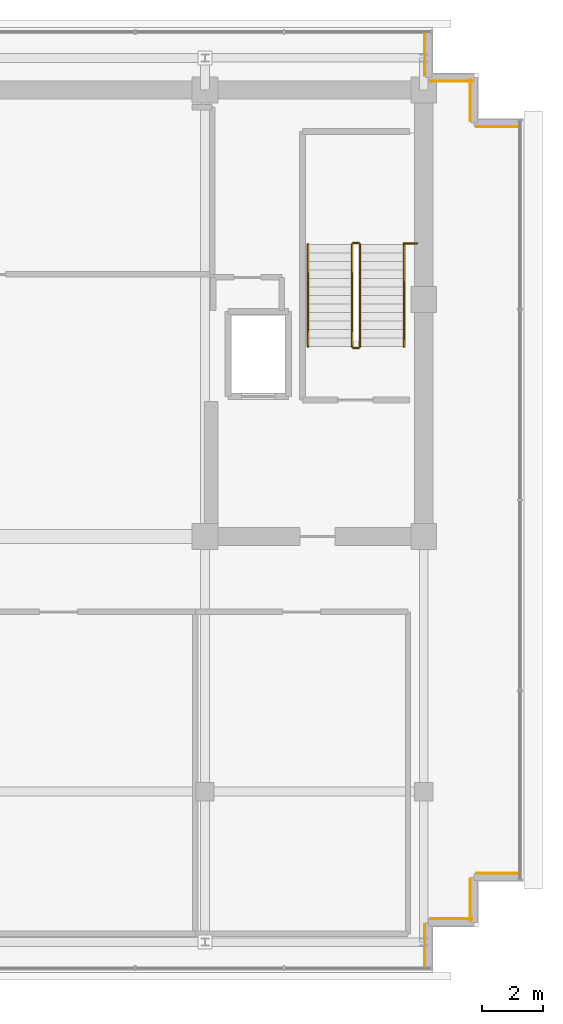
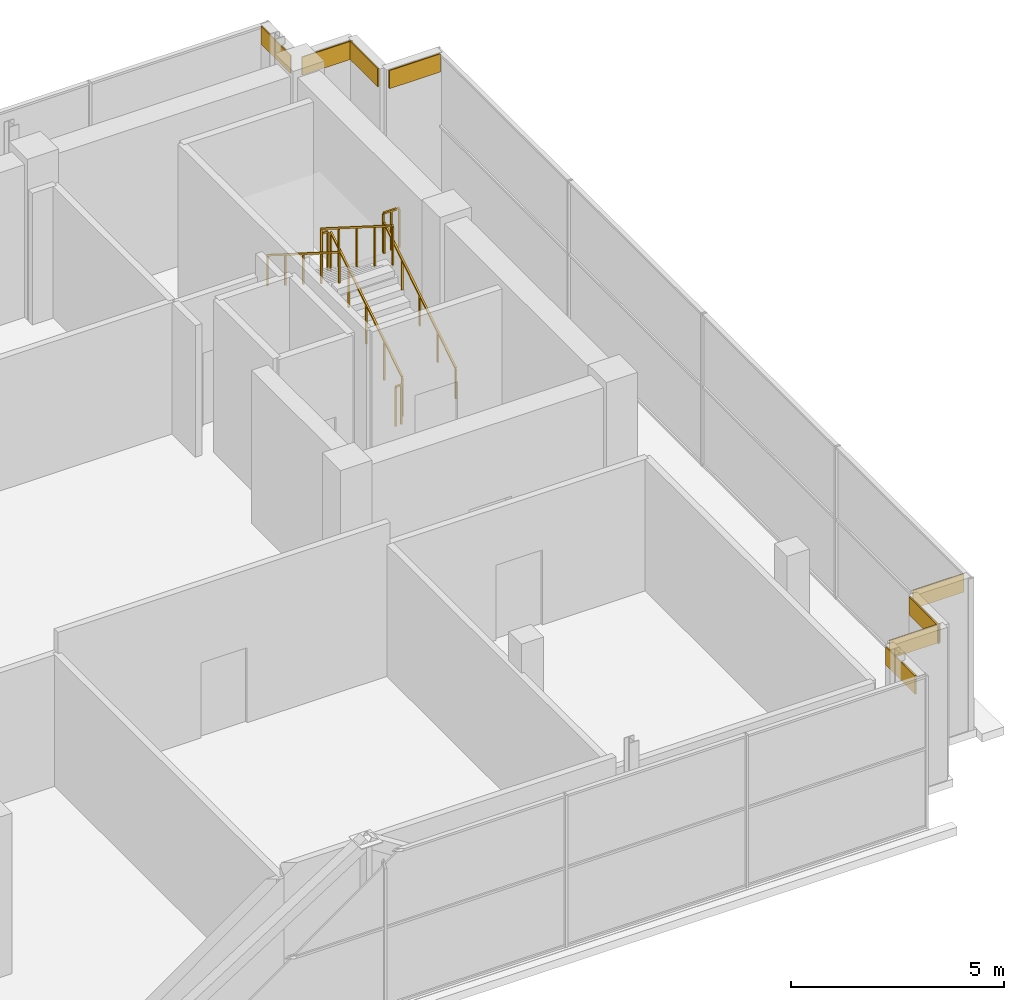
# One storey, part 27 of 27: 8 coverings, 7 railings.
"""IFC4 building model written with IfcOpenShell, lengths in metres."""

from ifc_helpers import new_model, si_unit, direction, frame, origin, origin_2d, place, context, subcontext, project, spatial, rectangle, extrude, source, transform, mapped, material, layer, layer_set, type_object, element, save


model = new_model("IFC4")

# Units and contexts
model_context = context("Model", 3, precision=1e-05, world=origin(), true_north=direction((0.0, 1.0)))
body_context = subcontext(model_context, "Body", "Model", "MODEL_VIEW")
ifc_project = project(units=[si_unit("LENGTHUNIT", "METRE"), si_unit("AREAUNIT", "SQUARE_METRE"), si_unit("VOLUMEUNIT", "CUBIC_METRE"), si_unit("PLANEANGLEUNIT", "RADIAN"), si_unit("MASSUNIT", "GRAM", prefix="KILO")], contexts=[model_context])

# Site, building, storey
site_placement = place(None, origin())
site = spatial("IfcSite", under=ifc_project, at=site_placement, CompositionType="ELEMENT")
building_placement = place(site_placement, origin())
building = spatial("IfcBuilding", under=site, at=building_placement, Name="Zarnakvel Exchange Tower", CompositionType="ELEMENT")
storey_placement = place(building_placement, frame((0.0, 0.0, 294.60009765625)))
storey = spatial("IfcBuildingStorey", under=building, at=storey_placement, Name="Crown L82", CompositionType="ELEMENT", Elevation=294.60009765625)

# Railings
ifc_material_1 = material(Name="Brushed Stainless Steel", Category="steel")
railing_type_1 = type_object("IfcRailingType", Name="HR-01", PredefinedType="HANDRAIL", material=ifc_material_1)
railing_1_placement = place(storey_placement, frame((13.75, 5.050048828125, 0.1767578125)))
element("IfcRailing", 1, at=railing_1_placement, inside=storey, type_object=railing_type_1, Name="Crown L82 ST-02 stair handrail 1", PredefinedType="HANDRAIL", context=body_context, shape_type="SweptSolid", body=[
    extrude(rectangle(XDim=0.048095703125, YDim=0.048095703125, at=origin_2d()), frame((0.0, 0.0, 0.8759765625), z_axis=(0.0, 0.845372108799, 0.534177870812), x_axis=(-1.0, 0.0, 0.0)), (0.0, 0.0, 1.0), 3.974365234375),
    extrude(rectangle(XDim=0.0419921875, YDim=0.0419921875, at=origin_2d()), origin(), (0.0, 0.0, 1.0), 0.851806640625),
    extrude(rectangle(XDim=0.0419921875, YDim=0.0419921875, at=origin_2d()), frame((0.0, 0.83984375, 0.53076171875)), (0.0, 0.0, 1.0), 0.851806640625),
    extrude(rectangle(XDim=0.0419921875, YDim=0.0419921875, at=origin_2d()), frame((0.0, 1.679931640625, 1.0615234375)), (0.0, 0.0, 1.0), 0.851806640625),
    extrude(rectangle(XDim=0.0419921875, YDim=0.0419921875, at=origin_2d()), frame((0.0, 2.52001953125, 1.59228515625)), (0.0, 0.0, 1.0), 0.851806640625),
    extrude(rectangle(XDim=0.0419921875, YDim=0.0419921875, at=origin_2d()), frame((0.0, 3.35986328125, 2.123046875)), (0.0, 0.0, 1.0), 0.851806640625),
])
railing_2_placement = place(storey_placement, frame((10.590087890625, 8.409912109375, 2.476806640625)))
element("IfcRailing", 2, at=railing_2_placement, inside=storey, type_object=railing_type_1, Name="Crown L82 ST-02 stair handrail 2", PredefinedType="HANDRAIL", context=body_context, shape_type="SweptSolid", body=[
    extrude(rectangle(XDim=0.048095703125, YDim=0.048095703125, at=origin_2d()), frame((0.0, 0.0, 0.8759765625), z_axis=(0.0, -0.845372108799, 0.534177870812), x_axis=(1.0, 0.0, 0.0)), (0.0, 0.0, 1.0), 3.974365234375),
    extrude(rectangle(XDim=0.0419921875, YDim=0.0419921875, at=origin_2d()), origin(), (0.0, 0.0, 1.0), 0.851806640625),
    extrude(rectangle(XDim=0.0419921875, YDim=0.0419921875, at=origin_2d()), frame((0.0, -0.83984375, 0.53076171875)), (0.0, 0.0, 1.0), 0.851806640625),
    extrude(rectangle(XDim=0.0419921875, YDim=0.0419921875, at=origin_2d()), frame((0.0, -1.679931640625, 1.0615234375)), (0.0, 0.0, 1.0), 0.851806640625),
    extrude(rectangle(XDim=0.0419921875, YDim=0.0419921875, at=origin_2d()), frame((0.0, -2.52001953125, 1.59228515625)), (0.0, 0.0, 1.0), 0.851806640625),
    extrude(rectangle(XDim=0.0419921875, YDim=0.0419921875, at=origin_2d()), frame((0.0, -3.35986328125, 2.123046875)), (0.0, 0.0, 1.0), 0.851806640625),
])
ifc_material_2 = material(Name="Architectural Bronze Anodised Aluminium", Category="aluminium")
railing_type_2 = type_object("IfcRailingType", Name="SG-01", PredefinedType="GUARDRAIL", material=ifc_material_2)
railing_3_placement = place(storey_placement, frame((12.300048828125, 5.050048828125, 0.1767578125)))
element("IfcRailing", 3, at=railing_3_placement, inside=storey, type_object=railing_type_2, Name="Crown L82 ST-02 stair guard 1", PredefinedType="GUARDRAIL", context=body_context, shape_type="SweptSolid", body=[
    extrude(rectangle(XDim=0.048095703125, YDim=0.048095703125, at=origin_2d()), frame((0.0, 0.0, 1.1259765625), z_axis=(0.0, 0.845372108799, 0.534177870812), x_axis=(-1.0, 0.0, 0.0)), (0.0, 0.0, 1.0), 3.974365234375),
    extrude(rectangle(XDim=0.0419921875, YDim=0.0419921875, at=origin_2d()), origin(), (0.0, 0.0, 1.0), 1.101806640625),
    extrude(rectangle(XDim=0.0419921875, YDim=0.0419921875, at=origin_2d()), frame((0.0, 0.83984375, 0.53076171875)), (0.0, 0.0, 1.0), 1.101806640625),
    extrude(rectangle(XDim=0.0419921875, YDim=0.0419921875, at=origin_2d()), frame((0.0, 1.679931640625, 1.0615234375)), (0.0, 0.0, 1.0), 1.101806640625),
    extrude(rectangle(XDim=0.0419921875, YDim=0.0419921875, at=origin_2d()), frame((0.0, 2.52001953125, 1.59228515625)), (0.0, 0.0, 1.0), 1.101806640625),
    extrude(rectangle(XDim=0.0419921875, YDim=0.0419921875, at=origin_2d()), frame((0.0, 3.35986328125, 2.123046875)), (0.0, 0.0, 1.0), 1.101806640625),
])
railing_4_placement = place(storey_placement, frame((12.25, 8.4599609375, 2.2998046875)))
element("IfcRailing", 4, at=railing_4_placement, inside=storey, type_object=railing_type_2, Name="Crown L82 ST-02 stair guard 2", PredefinedType="GUARDRAIL", context=body_context, shape_type="SweptSolid", body=[
    extrude(rectangle(XDim=0.048095703125, YDim=0.048095703125, at=origin_2d()), frame((0.0, 0.0, 1.1259765625), z_axis=(-1.0, 0.0, 0.0), x_axis=(0.0, -1.0, 0.0)), (0.0, 0.0, 1.0), 0.159912109375),
    extrude(rectangle(XDim=0.0419921875, YDim=0.0419921875, at=origin_2d()), origin(), (0.0, 0.0, 1.0), 1.101806640625),
    extrude(rectangle(XDim=0.0419921875, YDim=0.0419921875, at=origin_2d()), frame((-0.159912109375, 0.0, 0.0)), (0.0, 0.0, 1.0), 1.101806640625),
])
railing_5_placement = place(storey_placement, frame((12.0400390625, 8.409912109375, 2.476806640625)))
element("IfcRailing", 5, at=railing_5_placement, inside=storey, type_object=railing_type_2, Name="Crown L82 ST-02 stair guard 3", PredefinedType="GUARDRAIL", context=body_context, shape_type="SweptSolid", body=[
    extrude(rectangle(XDim=0.048095703125, YDim=0.048095703125, at=origin_2d()), frame((0.0, 0.0, 1.1259765625), z_axis=(0.0, -0.845372108799, 0.534177870812), x_axis=(1.0, 0.0, 0.0)), (0.0, 0.0, 1.0), 3.974365234375),
    extrude(rectangle(XDim=0.0419921875, YDim=0.0419921875, at=origin_2d()), origin(), (0.0, 0.0, 1.0), 1.101806640625),
    extrude(rectangle(XDim=0.0419921875, YDim=0.0419921875, at=origin_2d()), frame((0.0, -0.83984375, 0.53076171875)), (0.0, 0.0, 1.0), 1.101806640625),
    extrude(rectangle(XDim=0.0419921875, YDim=0.0419921875, at=origin_2d()), frame((0.0, -1.679931640625, 1.0615234375)), (0.0, 0.0, 1.0), 1.101806640625),
    extrude(rectangle(XDim=0.0419921875, YDim=0.0419921875, at=origin_2d()), frame((0.0, -2.52001953125, 1.59228515625)), (0.0, 0.0, 1.0), 1.101806640625),
    extrude(rectangle(XDim=0.0419921875, YDim=0.0419921875, at=origin_2d()), frame((0.0, -3.35986328125, 2.123046875)), (0.0, 0.0, 1.0), 1.101806640625),
])
railing_6_placement = place(storey_placement, frame((12.25, 5.0, 0.0)))
element("IfcRailing", 6, at=railing_6_placement, inside=storey, type_object=railing_type_2, Name="Crown L82 ST-02 stair guard 4", PredefinedType="GUARDRAIL", context=body_context, shape_type="SweptSolid", body=[
    extrude(rectangle(XDim=0.048095703125, YDim=0.048095703125, at=origin_2d()), frame((0.0, 0.0, 1.1259765625), z_axis=(-1.0, 0.0, 0.0), x_axis=(0.0, -1.0, 0.0)), (0.0, 0.0, 1.0), 0.159912109375),
    extrude(rectangle(XDim=0.0419921875, YDim=0.0419921875, at=origin_2d()), origin(), (0.0, 0.0, 1.0), 1.101806640625),
    extrude(rectangle(XDim=0.0419921875, YDim=0.0419921875, at=origin_2d()), frame((-0.159912109375, 0.0, 0.0)), (0.0, 0.0, 1.0), 1.101806640625),
])
railing_7_placement = place(storey_placement, frame((13.75, 8.449951171875, 2.2998046875)))
element("IfcRailing", 7, at=railing_7_placement, inside=storey, type_object=railing_type_2, Name="Crown L82 ST-02 Landing Slot Guardrail", PredefinedType="GUARDRAIL", context=body_context, shape_type="SweptSolid", body=[
    extrude(rectangle(XDim=0.048095703125, YDim=0.048095703125, at=origin_2d()), frame((0.0, 0.0, 1.1259765625), z_axis=(1.0, 0.0, 0.0), x_axis=(0.0, 1.0, 0.0)), (0.0, 0.0, 1.0), 0.429931640625),
    extrude(rectangle(XDim=0.0419921875, YDim=0.0419921875, at=origin_2d()), origin(), (0.0, 0.0, 1.0), 1.101806640625),
    extrude(rectangle(XDim=0.0419921875, YDim=0.0419921875, at=origin_2d()), frame((0.21484375, 0.0, 0.0)), (0.0, 0.0, 1.0), 1.101806640625),
    extrude(rectangle(XDim=0.0419921875, YDim=0.0419921875, at=origin_2d()), frame((0.429931640625, 0.0, 0.0)), (0.0, 0.0, 1.0), 1.101806640625),
])

# Coverings
ifc_material_3 = material(Name="Warm Sandstone Terracotta Spandrel Tile", Category="masonry")
ifc_layer = layer(ifc_material_3, 0.031982421875)
ifc_layer_set = layer_set([ifc_layer], Name="Warm Sandstone Terracotta Spandrel Tile")
covering_type = type_object("IfcCoveringType", Name="CL-02", PredefinedType="CLADDING", material=ifc_layer_set)
shared_shape = source(origin(), body_context, "Body", "SweptSolid", [
    extrude(rectangle(XDim=1.3798828125, YDim=0.031982421875, at=origin_2d()), origin(), (0.0, 0.0, 1.0), 0.52001953125),
])
for number, where, z_axis, x_axis, name in (
    (8, (14.43603515625, 14.659912109375, 3.83984375), (0.0, 0.0, 1.0), (0.0, 1.0, 0.0), "Crown L82 Ceramic Spandrel Tilework CL-02"),
    (9, (15.31005859375, 13.785888671875, 3.83984375), (0.0, 0.0, 1.0), (-1.0, 0.0, 0.0), "Crown L82 Ceramic Spandrel Tilework CL-02"),
    (10, (15.93603515625, 13.159912109375, 3.83984375), (0.0, 0.0, 1.0), (0.0, 1.0, 0.0), "Crown L82 Ceramic Spandrel Tilework CL-02"),
    (11, (16.81005859375, 12.285888671875, 3.83984375), (0.0, 0.0, 1.0), (-1.0, 0.0, 0.0), "Crown L82 Ceramic Spandrel Tilework CL-02"),
    (12, (16.81005859375, -12.285888671875, 3.83984375), (0.0, 0.0, 1.0), (1.0, 0.0, 0.0), "Crown L82 Ceramic Spandrel Tilework CL-02"),
    (13, (15.93603515625, -13.159912109375, 3.83984375), (0.0, 0.0, 1.0), (0.0, 1.0, 0.0), "Crown L82 Ceramic Spandrel Tilework CL-02"),
    (14, (15.31005859375, -13.785888671875, 3.83984375), (0.0, 0.0, 1.0), (1.0, 0.0, 0.0), "Crown L82 Ceramic Spandrel Tilework CL-02"),
    (15, (14.43603515625, -14.659912109375, 3.83984375), (0.0, 0.0, 1.0), (0.0, 1.0, 0.0), "Crown L82 Ceramic Spandrel Tilework CL-02"),
):
    element("IfcCovering", number, at=place(storey_placement, frame(where, z_axis=z_axis, x_axis=x_axis)), inside=storey, type_object=covering_type, Name=name, PredefinedType="CLADDING", context=body_context, shape_type="MappedRepresentation", body=[
        mapped(shared_shape, transform((0.0, 0.0, 0.0), x_axis=(1.0, 0.0, 0.0), y_axis=(0.0, 1.0, 0.0), z_axis=(0.0, 0.0, 1.0), scale=1.0)),
    ])

save(model, "model.ifc")
